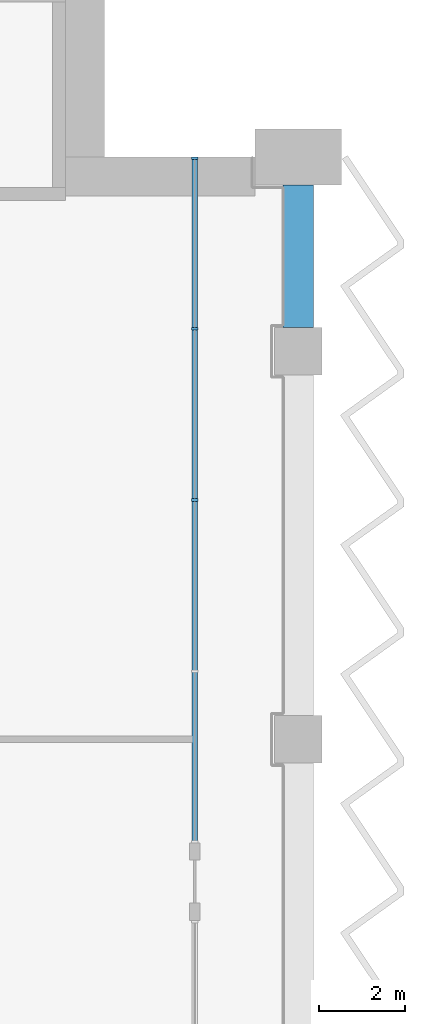
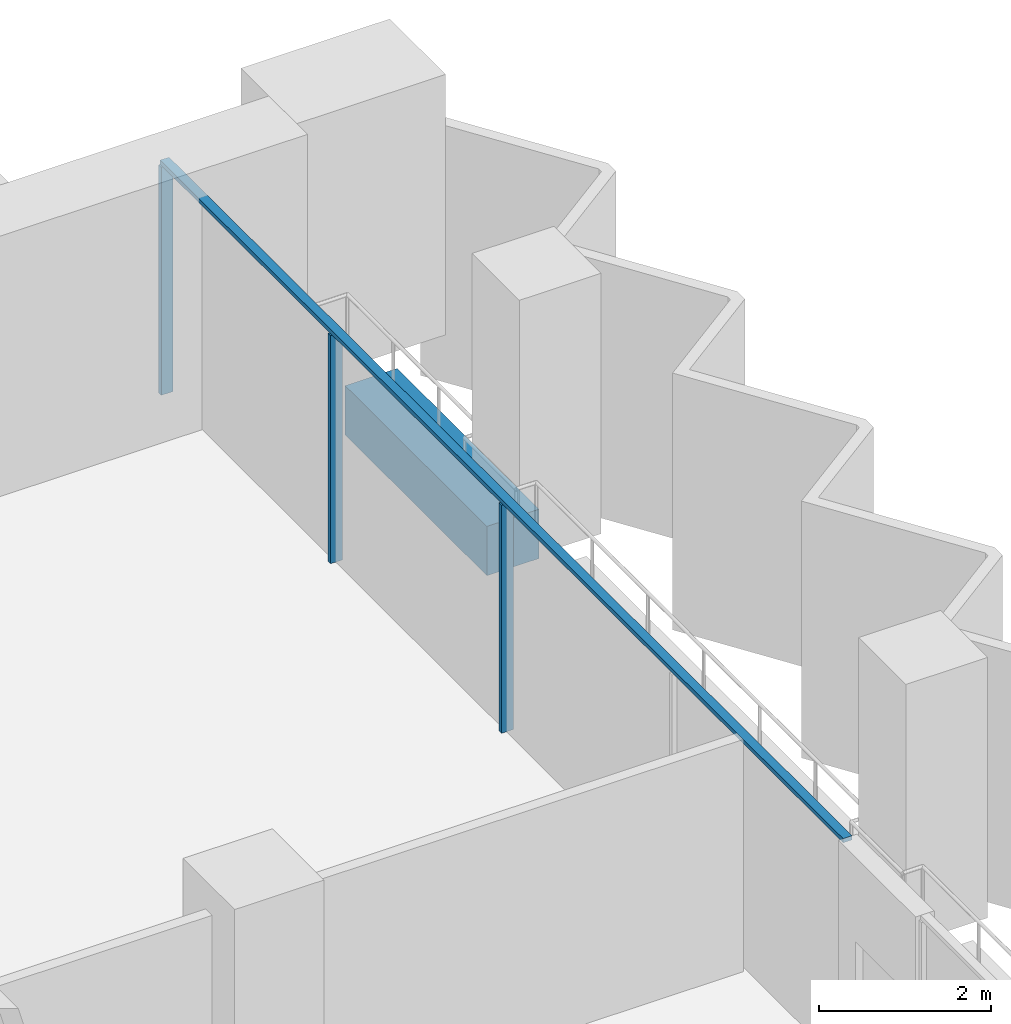
# One storey, part 7 of 23: 4 members, 1 beam, 1 element without a shape of its own.
"""IFC4 building model written with IfcOpenShell, lengths in metres."""

from ifc_helpers import new_model, si_unit, direction, frame, origin, origin_2d, place, context, subcontext, project, spatial, rectangle, extrude, material, material_profile, profile_set, type_object, element, aggregate, save


model = new_model("IFC4")

# Units and contexts
model_context = context("Model", 3, precision=1e-05, world=origin(), true_north=direction((0.0, 1.0)))
body_context = subcontext(model_context, "Body", "Model", "MODEL_VIEW")
ifc_project = project(units=[si_unit("LENGTHUNIT", "METRE"), si_unit("AREAUNIT", "SQUARE_METRE"), si_unit("VOLUMEUNIT", "CUBIC_METRE"), si_unit("PLANEANGLEUNIT", "RADIAN"), si_unit("MASSUNIT", "GRAM", prefix="KILO")], contexts=[model_context])

# Site, building, storey
site_placement = place(None, origin())
site = spatial("IfcSite", under=ifc_project, at=site_placement, CompositionType="ELEMENT")
building_placement = place(site_placement, origin())
building = spatial("IfcBuilding", under=site, at=building_placement, Name="Hunhe Ridgeline Campus", CompositionType="ELEMENT")
storey_placement = place(building_placement, frame((0.0, 0.0, 170.800048828125)))
storey = spatial("IfcBuildingStorey", under=building, at=storey_placement, Name="L43", CompositionType="ELEMENT", Elevation=170.800048828125)

# Curtain wall, members
ifc_material_1 = material(Name="Aluminium 6063", Category="aluminium")
curtain_wall_type = type_object("IfcCurtainWallType", Name="Curtain wall CW-1", PredefinedType="NOTDEFINED", material=ifc_material_1)
curtain_wall_placement = place(storey_placement, origin())
curtain_wall = element("IfcCurtainWall", 1, at=curtain_wall_placement, inside=storey, type_object=curtain_wall_type, Name="Curtain wall 15", PredefinedType="NOTDEFINED")
ifc_material_profile_1 = material_profile(ifc_material_1, rectangle(XDim=0.159912109375, YDim=0.06005859375, at=origin_2d()))
ifc_profile_set_1 = profile_set([ifc_material_profile_1], Name="Aluminium 6063")
member_type_1 = type_object("IfcMemberType", Name="CW-1 aluminium mullion", PredefinedType="MULLION", material=ifc_profile_set_1)
member_1_placement = place(storey_placement, frame((60.59912109375, 86.55029296875, 0.0), z_axis=(0.0, 0.0, 1.0), x_axis=(-1.0, 0.0, 0.0)))
member_1 = element("IfcMember", 2, at=member_1_placement, type_object=member_type_1, Name="CW-1 mullion 3", PredefinedType="MULLION", context=body_context, shape_type="SweptSolid", body=[
    extrude(rectangle(XDim=0.159912109375, YDim=0.06005859375, at=origin_2d()), origin(), (0.0, 0.0, 1.0), 3.239990234375),
])
member_2_placement = place(storey_placement, frame((60.59912109375, 90.525146484375, 0.0), z_axis=(0.0, 0.0, 1.0), x_axis=(-1.0, 0.0, 0.0)))
member_2 = element("IfcMember", 3, at=member_2_placement, type_object=member_type_1, Name="CW-1 mullion 4", PredefinedType="MULLION", context=body_context, shape_type="SweptSolid", body=[
    extrude(rectangle(XDim=0.159912109375, YDim=0.06005859375, at=origin_2d()), origin(), (0.0, 0.0, 1.0), 3.239990234375),
])
member_3_placement = place(storey_placement, frame((60.59912109375, 94.469970703125, 0.0), z_axis=(0.0, 0.0, 1.0), x_axis=(-1.0, 0.0, 0.0)))
member_3 = element("IfcMember", 4, at=member_3_placement, type_object=member_type_1, Name="CW-1 mullion 5", PredefinedType="MULLION", context=body_context, shape_type="SweptSolid", body=[
    extrude(rectangle(XDim=0.159912109375, YDim=0.06005859375, at=origin_2d()), origin(), (0.0, 0.0, 1.0), 3.239990234375),
])
ifc_material_profile_2 = material_profile(ifc_material_1, rectangle(XDim=0.1201171875, YDim=0.06005859375, at=origin_2d()))
ifc_profile_set_2 = profile_set([ifc_material_profile_2], Name="Aluminium 6063")
member_type_2 = type_object("IfcMemberType", Name="CW-1 aluminium transom", PredefinedType="USERDEFINED", material=ifc_profile_set_2)
member_4_placement = place(storey_placement, frame((60.59912109375, 78.6005859375, 3.27001953125), z_axis=(0.0, 1.0, 0.0), x_axis=(-1.0, 0.0, 0.0)))
member_4 = element("IfcMember", 5, at=member_4_placement, type_object=member_type_2, Name="CW-1 transom 1", ObjectType="TRANSOM", PredefinedType="USERDEFINED", context=body_context, shape_type="SweptSolid", body=[
    extrude(rectangle(XDim=0.1201171875, YDim=0.06005859375, at=origin_2d()), origin(), (0.0, 0.0, 1.0), 15.8994140625),
])
aggregate(curtain_wall, [member_4, member_1, member_2, member_3])

# Beam
ifc_material_2 = material(Name="Concrete C60", Category="concrete")
ifc_material_profile_3 = material_profile(ifc_material_2, rectangle(XDim=0.699951171875, YDim=0.699951171875, at=origin_2d()))
ifc_profile_set_3 = profile_set([ifc_material_profile_3], Name="Concrete C60")
beam_type = type_object("IfcBeamType", Name="RC spandrel beam 700x700 Concrete C60", PredefinedType="SPANDREL", material=ifc_profile_set_3)
beam_placement = place(storey_placement, frame((63.0, 90.550048828125, -0.60009765625), z_axis=(0.0, 1.0, 0.0), x_axis=(-1.0, 0.0, 0.0)))
element("IfcBeam", 6, at=beam_placement, inside=storey, type_object=beam_type, Name="Spandrel beam B2-20 L43", PredefinedType="SPANDREL", context=body_context, shape_type="SweptSolid", body=[
    extrude(rectangle(XDim=0.699951171875, YDim=0.699951171875, at=origin_2d()), origin(), (0.0, 0.0, 1.0), 3.300048828125),
])

save(model, "model.ifc")
